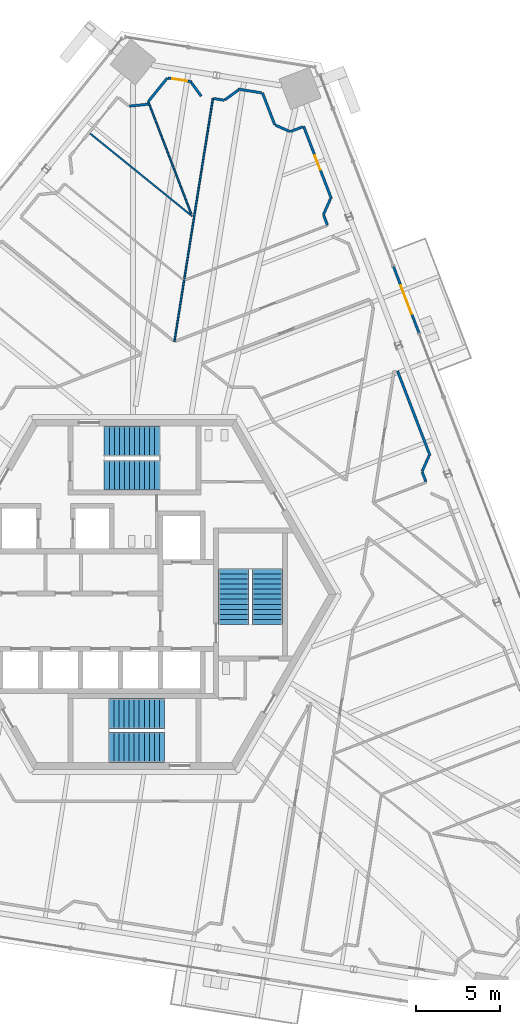
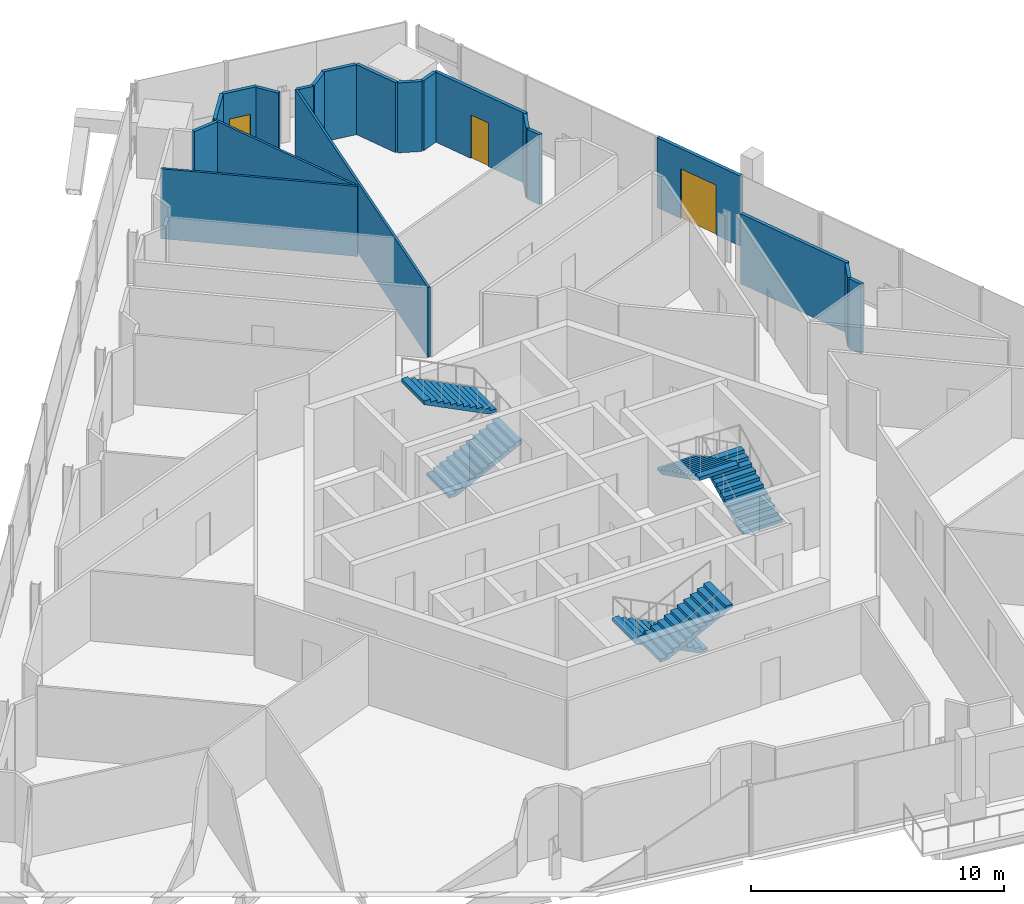
# One storey, part 18 of 23: 20 walls, 6 stair flights, 3 doors, 3 openings, 3 elements without a shape of their own.
"""IFC4 building model written with IfcOpenShell, lengths in metres."""

import ifcopenshell
import ifcopenshell.guid

model = None  # the IFC model being written
_history = None  # IfcOwnerHistory: only IFC2X3 demands one
_inside = {}  # id of a spatial element -> (the spatial element, [elements in it])
_under = {}  # id of a project, library or spatial element -> (it, [spatial elements below it])
_declared = {}  # id of a project -> (the project, [libraries it declares])
_typed = {}  # id of a type object -> (the type object, [elements of that type])
_made_of = {}  # id of a material, layer set ... -> (it, [elements and type objects made of it])


def new_model(schema):
    """Start an empty IFC model of exactly this schema.

    Asked for "IFC4X3", IfcOpenShell would pick the latest addendum, in which some entities
    have other attributes; the version numbers below select the first issue.
    IFC2X3 requires an IfcOwnerHistory on every rooted entity: one is made here for all.
    """
    global model, _history
    if schema == "IFC4X3":
        model = ifcopenshell.file(schema_version=(4, 3, 0, 0))
    else:
        model = ifcopenshell.file(schema=schema)
    _inside.clear()
    _under.clear()
    _declared.clear()
    _typed.clear()
    _made_of.clear()
    _history = None
    if model.schema == "IFC2X3":
        org = make("IfcOrganization", Name="unknown")
        user = make(
            "IfcPersonAndOrganization",
            ThePerson=make("IfcPerson", FamilyName="unknown"),
            TheOrganization=org,
        )
        app = make(
            "IfcApplication",
            ApplicationDeveloper=org,
            Version="unknown",
            ApplicationFullName="unknown",
            ApplicationIdentifier="unknown",
        )
        _history = make(
            "IfcOwnerHistory",
            OwningUser=user,
            OwningApplication=app,
            ChangeAction="ADDED",
            CreationDate=0,
        )
    return model


def make(cls, **values):
    """One entity of the class cls with the attributes given. An attribute that is None is left unset."""
    return model.create_entity(
        cls, **{name: value for name, value in values.items() if value is not None}
    )


def rooted(cls, **values):
    """An entity with a GlobalId (a new one), such as an element, a storey or a relation."""
    return make(cls, GlobalId=ifcopenshell.guid.new(), OwnerHistory=_history, **values)


def si_unit(unit_type, name, prefix=None):
    """IfcSIUnit, for example si_unit("LENGTHUNIT", "METRE", prefix="MILLI")."""
    return make("IfcSIUnit", UnitType=unit_type, Prefix=prefix, Name=name)


def assignment(units):
    """IfcUnitAssignment: the units of a project."""
    return None if units is None else make("IfcUnitAssignment", Units=units)


def point(xyz):
    """IfcCartesianPoint."""
    return None if xyz is None else make("IfcCartesianPoint", Coordinates=xyz)


def direction(xyz):
    """IfcDirection."""
    return None if xyz is None else make("IfcDirection", DirectionRatios=xyz)


def frame(location, z_axis=None, x_axis=None):
    """IfcAxis2Placement3D, a coordinate frame: its origin and axes. An axis left out is left unset."""
    return make(
        "IfcAxis2Placement3D",
        Location=point(location),
        Axis=direction(z_axis),
        RefDirection=direction(x_axis),
    )


def frame_2d(location, x_axis=None):
    """IfcAxis2Placement2D, a coordinate frame in the plane: its origin and x axis."""
    return make(
        "IfcAxis2Placement2D", Location=point(location), RefDirection=direction(x_axis)
    )


def origin():
    """The frame at (0, 0, 0) with its axes left unset."""
    return frame((0.0, 0.0, 0.0))


def place(relative_to, where):
    """IfcLocalPlacement: puts the frame where relative to a parent placement (None: the world)."""
    return make(
        "IfcLocalPlacement", PlacementRelTo=relative_to, RelativePlacement=where
    )


def context(
    kind, dimensions, precision=None, world=None, true_north=None, identifier=None
):
    """IfcGeometricRepresentationContext, for example the 3D "Model" context."""
    return make(
        "IfcGeometricRepresentationContext",
        ContextIdentifier=identifier,
        ContextType=kind,
        CoordinateSpaceDimension=dimensions,
        Precision=precision,
        WorldCoordinateSystem=world,
        TrueNorth=true_north,
    )


def subcontext(parent, identifier, kind, view, scale=None):
    """IfcGeometricRepresentationSubContext, for example "Body" below "Model"."""
    return make(
        "IfcGeometricRepresentationSubContext",
        ContextIdentifier=identifier,
        ContextType=kind,
        ParentContext=parent,
        TargetScale=scale,
        TargetView=view,
    )


def project(units=None, contexts=None):
    """IfcProject with its units and contexts."""
    return rooted(
        "IfcProject",
        Name="project",
        RepresentationContexts=contexts,
        UnitsInContext=assignment(units),
    )


def spatial(cls, under=None, at=None, **own):
    """A site, building, storey or space (cls), placed at a placement, below another one or the project."""
    s = rooted(cls, ObjectPlacement=at, **own)
    if under is not None:
        _under.setdefault(under.id(), (under, []))[1].append(s)
    return s


def polyline(points):
    """IfcPolyline through the points."""
    return make("IfcPolyline", Points=[point(p) for p in points])


def profile(cls, at=None, kind="AREA", **sizes):
    """A parametric profile (cls). Its sizes go by their IFC names, for example OverallWidth=200.0."""
    return make(cls, ProfileType=kind, Position=at, **sizes)


def rectangle(**sizes):
    """IfcRectangleProfileDef."""
    return profile("IfcRectangleProfileDef", **sizes)


def outline(outer, holes=None, kind="AREA"):
    """IfcArbitraryClosedProfileDef: a profile drawn as a closed curve; with holes, ...WithVoids."""
    if holes is None:
        return make("IfcArbitraryClosedProfileDef", ProfileType=kind, OuterCurve=outer)
    return make(
        "IfcArbitraryProfileDefWithVoids",
        ProfileType=kind,
        OuterCurve=outer,
        InnerCurves=holes,
    )


def extrude(swept, where, along, depth):
    """IfcExtrudedAreaSolid: the profile swept, set in the frame where, extruded along a direction by depth."""
    return make(
        "IfcExtrudedAreaSolid",
        SweptArea=swept,
        Position=where,
        ExtrudedDirection=direction(along),
        Depth=depth,
    )


def shape(context_of_items, identifier, shape_type, items):
    """IfcShapeRepresentation: the items that make up one representation, for example the "Body"."""
    return make(
        "IfcShapeRepresentation",
        ContextOfItems=context_of_items,
        RepresentationIdentifier=identifier,
        RepresentationType=shape_type,
        Items=items,
    )


def source(mapping_origin, context_of_items, identifier, shape_type, items):
    """IfcRepresentationMap: a shape defined once, which mapped items show again and again."""
    return make(
        "IfcRepresentationMap",
        MappingOrigin=mapping_origin,
        MappedRepresentation=shape(context_of_items, identifier, shape_type, items),
    )


def transform(
    local_origin,
    x_axis=None,
    y_axis=None,
    z_axis=None,
    scale=None,
    scale2=None,
    scale3=None,
    uniform=True,
):
    """IfcCartesianTransformationOperator3D, or its non-uniform kind. x_axis, y_axis, z_axis: its Axis1, 2, 3."""
    if uniform:
        return make(
            "IfcCartesianTransformationOperator3D",
            Axis1=direction(x_axis),
            Axis2=direction(y_axis),
            LocalOrigin=point(local_origin),
            Scale=scale,
            Axis3=direction(z_axis),
        )
    return make(
        "IfcCartesianTransformationOperator3DnonUniform",
        Axis1=direction(x_axis),
        Axis2=direction(y_axis),
        LocalOrigin=point(local_origin),
        Scale=scale,
        Axis3=direction(z_axis),
        Scale2=scale2,
        Scale3=scale3,
    )


def mapped(mapping_source, mapping_target):
    """IfcMappedItem: shows the shape of a source again, moved by a transform."""
    return make(
        "IfcMappedItem", MappingSource=mapping_source, MappingTarget=mapping_target
    )


def material(Name=None, Category=None):
    """IfcMaterial."""
    return make("IfcMaterial", Name=Name, Category=Category)


def layer(
    of_material, thickness, ventilated=None, Name=None, Category=None, Priority=None
):
    """IfcMaterialLayer: one layer of a wall or slab, of a material (None: an air gap)."""
    return make(
        "IfcMaterialLayer",
        Material=of_material,
        LayerThickness=thickness,
        IsVentilated=ventilated,
        Name=Name,
        Category=Category,
        Priority=Priority,
    )


def layer_set(layers, Name=None):
    """IfcMaterialLayerSet."""
    return make("IfcMaterialLayerSet", MaterialLayers=layers, LayerSetName=Name)


def made_of(thing, what):
    """Note that an element or type object is made of a material, layer set ...; save() writes the relation."""
    if what is not None:
        _made_of.setdefault(what.id(), (what, []))[1].append(thing)
    return thing


def type_object(cls, material=None, **own):
    """A type object (cls), such as IfcWallType, which elements share."""
    return made_of(rooted(cls, **own), material)


def element(
    cls,
    number,
    at=None,
    inside=None,
    cuts=None,
    type_object=None,
    material=None,
    context=None,
    identifier="Body",
    shape_type=None,
    held_by="IfcProductDefinitionShape",
    body=None,
    shapes=None,
    **own,
):
    """One element of the class cls, such as IfcWall. Its Tag is "e" and its number.

    at: its placement. inside: the storey or other place that contains it. cuts: it is an
    opening in that element (IfcRelVoidsElement). A single representation is given by context,
    identifier, shape_type and body (its items); several are given by shapes. held_by: the class
    of the entity that holds the representations. save() writes the other relations.
    """
    e = rooted(cls, Tag="e%d" % number, ObjectPlacement=at, **own)
    if body is not None:
        shapes = [shape(context, identifier, shape_type, body)]
    if shapes is not None:
        e.Representation = make(held_by, Representations=shapes)
    if inside is not None:
        _inside.setdefault(inside.id(), (inside, []))[1].append(e)
    if cuts is not None:
        rooted(
            "IfcRelVoidsElement", RelatingBuildingElement=cuts, RelatedOpeningElement=e
        )
    if type_object is not None:
        _typed.setdefault(type_object.id(), (type_object, []))[1].append(e)
    return made_of(e, material)


def fill(opening, filler):
    """IfcRelFillsElement: the door or window that sits in an opening."""
    return rooted(
        "IfcRelFillsElement",
        RelatingOpeningElement=opening,
        RelatedBuildingElement=filler,
    )


def aggregate(whole, parts):
    """IfcRelAggregates: a whole, such as a stair, and the parts it consists of."""
    return rooted("IfcRelAggregates", RelatingObject=whole, RelatedObjects=parts)


def save(model, path):
    """Write the relations noted so far, then the file.

    IfcRelAggregates (storeys below a building ...), IfcRelContainedInSpatialStructure (elements
    in a storey), IfcRelDefinesByType, IfcRelAssociatesMaterial and IfcRelDeclares: one each for
    every whole, place, type object, material and project.
    """
    for whole, parts in _under.values():
        aggregate(whole, parts)
    for where, things in _inside.values():
        rooted(
            "IfcRelContainedInSpatialStructure",
            RelatedElements=things,
            RelatingStructure=where,
        )
    for kind, things in _typed.values():
        rooted("IfcRelDefinesByType", RelatedObjects=things, RelatingType=kind)
    for what, things in _made_of.values():
        rooted("IfcRelAssociatesMaterial", RelatedObjects=things, RelatingMaterial=what)
    for by, libraries in _declared.values():
        rooted("IfcRelDeclares", RelatingContext=by, RelatedDefinitions=libraries)
    model.write(path)


model = new_model("IFC4")

# Units and contexts
model_context = context("Model", 3, precision=1e-05, world=origin(), true_north=direction((0.0, 1.0)))
body_context = subcontext(model_context, "Body", "Model", "MODEL_VIEW")
ifc_project = project(units=[si_unit("LENGTHUNIT", "METRE"), si_unit("AREAUNIT", "SQUARE_METRE"), si_unit("VOLUMEUNIT", "CUBIC_METRE"), si_unit("PLANEANGLEUNIT", "RADIAN"), si_unit("MASSUNIT", "GRAM", prefix="KILO")], contexts=[model_context])

# Site, building, storey
site_placement = place(None, origin())
site = spatial("IfcSite", under=ifc_project, at=site_placement, CompositionType="ELEMENT")
building_placement = place(site_placement, origin())
building = spatial("IfcBuilding", under=site, at=building_placement, Name="Triune Harvest Tower", CompositionType="ELEMENT")
storey_placement = place(building_placement, frame((0.0, 0.0, 171.300048828125)))
storey = spatial("IfcBuildingStorey", under=building, at=storey_placement, Name="L44", CompositionType="ELEMENT", Elevation=171.300048828125)

# Walls
ifc_material_1 = material(Name="Gypsum board on steel studs", Category="steel")
ifc_layer_1 = layer(ifc_material_1, 0.14990234375)
ifc_layer_set_1 = layer_set([ifc_layer_1], Name="Gypsum board on steel studs")
wall_type_1 = type_object("IfcWallType", Name="Fire Partition 150 mm", PredefinedType="PARTITIONING", material=ifc_layer_set_1)
wall_1_placement = place(storey_placement, frame((7.613525390625, 29.784423828125, 0.0), z_axis=(0.0, 0.0, 1.0), x_axis=(0.358478574369, -0.933537954086, 0.0)))
element("IfcWall", 1, at=wall_1_placement, inside=storey, type_object=wall_type_1, Name="Partition L44 012", PredefinedType="PARTITIONING", context=body_context, shape_type="SweptSolid", body=[
    extrude(rectangle(XDim=2.02685546875, YDim=0.14990234375, at=frame_2d((1.013427734375, 0.0))), origin(), (0.0, 0.0, 1.0), 3.375),
])
wall_2_placement = place(storey_placement, frame((11.2431640625, 22.530517578125, 0.0), z_axis=(0.0, 0.0, 1.0), x_axis=(0.358251499246, -0.933625119247, 0.0)))
element("IfcWall", 2, at=wall_2_placement, inside=storey, type_object=wall_type_1, Name="Partition L44 014", PredefinedType="PARTITIONING", context=body_context, shape_type="SweptSolid", body=[
    extrude(rectangle(XDim=0.629638671875, YDim=0.14990234375, at=frame_2d((0.31494140625, 0.0))), origin(), (0.0, 0.0, 1.0), 3.375),
])
wall_3_placement = place(storey_placement, frame((17.1015625, 7.267822265625, 0.0), z_axis=(0.0, 0.0, 1.0), x_axis=(0.35824355396, -0.93362816798, 0.0)))
element("IfcWall", 3, at=wall_3_placement, inside=storey, type_object=wall_type_1, Name="Partition L44 015", PredefinedType="PARTITIONING", context=body_context, shape_type="SweptSolid", body=[
    extrude(rectangle(XDim=0.622802734375, YDim=0.14990234375, at=frame_2d((0.3115234375, 0.0))), origin(), (0.0, 0.0, 1.0), 3.375),
])
wall_4_placement = place(storey_placement, frame((4.69775390625, 29.456298828125, 0.0), z_axis=(0.0, 0.0, 1.0), x_axis=(0.987708590409, -0.156306559145, 0.0)))
element("IfcWall", 4, at=wall_4_placement, inside=storey, type_object=wall_type_1, Name="Partition L44 071", PredefinedType="PARTITIONING", context=body_context, shape_type="SweptSolid", body=[
    extrude(rectangle(XDim=0.656005859375, YDim=0.14990234375, at=frame_2d((0.328125, 0.0))), origin(), (0.0, 0.0, 1.0), 3.375),
])

# Wall, opening, door
wall_5_placement = place(storey_placement, frame((2.002197265625, 30.67333984375, 0.0), z_axis=(0.0, 0.0, 1.0), x_axis=(0.987678319337, -0.156497723666, 0.0)))
wall_5 = element("IfcWall", 5, at=wall_5_placement, inside=storey, type_object=wall_type_1, Name="Partition L44 072", PredefinedType="PARTITIONING", context=body_context, shape_type="SweptSolid", body=[
    extrude(rectangle(XDim=1.428955078125, YDim=0.14990234375, at=frame_2d((0.71435546875, 0.0))), origin(), (0.0, 0.0, 1.0), 3.375),
])
opening_1_placement = place(wall_5_placement, frame((0.260009765625, 0.0, 0.0)))
opening_1 = element("IfcOpeningElement", 6, at=opening_1_placement, cuts=wall_5, Name="Opening L44-012", PredefinedType="OPENING", context=body_context, shape_type="SweptSolid", body=[
    extrude(rectangle(XDim=0.89990234375, YDim=2.10009765625, at=frame_2d((0.449951171875, 1.050048828125))), frame((0.0, 0.0849609375, 0.0), z_axis=(0.0, -1.0, 0.0), x_axis=(1.0, 0.0, 0.0)), (0.0, 0.0, 1.0), 0.169921875),
])
ifc_material_2 = material(Name="Timber and steel door set", Category="steel")
door_type_1 = type_object("IfcDoorType", Name="Single leaf door FD30 left hand 900 x 2100", OperationType="SINGLE_SWING_LEFT", PredefinedType="DOOR", material=ifc_material_2)
door_1_placement = place(opening_1_placement, origin())
door_1 = element("IfcDoor", 7, at=door_1_placement, inside=storey, type_object=door_type_1, Name="Door L44-012 Reception 44.12", OperationType="SINGLE_SWING_LEFT", OverallHeight=2.10009765625, OverallWidth=0.89990234375, PredefinedType="DOOR", context=body_context, shape_type="SweptSolid", body=[
    extrude(rectangle(XDim=0.89990234375, YDim=2.10009765625, at=frame_2d((0.449951171875, 1.050048828125))), frame((0.0, 0.02490234375, 0.0), z_axis=(0.0, -1.0, 0.0), x_axis=(1.0, 0.0, 0.0)), (0.0, 0.0, 1.0), 0.050048828125),
])
fill(opening_1, door_1)

# Walls
wall_6_placement = place(storey_placement, frame((6.162841796875, 30.014404296875, 0.0), z_axis=(0.0, 0.0, 1.0), x_axis=(0.987669329581, -0.156554448688, 0.0)))
element("IfcWall", 8, at=wall_6_placement, inside=storey, type_object=wall_type_1, Name="Partition L44 073", PredefinedType="PARTITIONING", context=body_context, shape_type="SweptSolid", body=[
    extrude(rectangle(XDim=1.419189453125, YDim=0.14990234375, at=frame_2d((0.70947265625, 0.0))), origin(), (0.0, 0.0, 1.0), 3.375),
])
ifc_material_3 = material(Name="Gypsum board on steel studs", Category="steel")
ifc_layer_2 = layer(ifc_material_3, 0.10009765625)
ifc_layer_set_2 = layer_set([ifc_layer_2], Name="Gypsum board on steel studs")
wall_type_2 = type_object("IfcWallType", Name="Partition 100 mm", PredefinedType="PARTITIONING", material=ifc_layer_set_2)
wall_7_placement = place(storey_placement, frame((0.822998046875, 29.27197265625, 0.0), z_axis=(0.0, 0.0, 1.0), x_axis=(0.358372053014, -0.933578851313, 0.0)))
element("IfcWall", 9, at=wall_7_placement, inside=storey, type_object=wall_type_2, Name="Partition L44 010", PredefinedType="PARTITIONING", context=body_context, shape_type="SweptSolid", body=[
    extrude(rectangle(XDim=7.142822265625, YDim=0.10009765625, at=frame_2d((3.5712890625, 0.0))), origin(), (0.0, 0.0, 1.0), 3.375),
])
wall_8_placement = place(storey_placement, frame((-2.69091796875, 27.42529296875, 0.0), z_axis=(0.0, 0.0, 1.0), x_axis=(0.777133086875, -0.629336289502, 0.0)))
element("IfcWall", 10, at=wall_8_placement, inside=storey, type_object=wall_type_2, Name="Partition L44 048", PredefinedType="PARTITIONING", context=body_context, shape_type="SweptSolid", body=[
    extrude(rectangle(XDim=7.88427734375, YDim=0.10009765625, at=frame_2d((3.942138671875, 0.0))), origin(), (0.0, 0.0, 1.0), 3.375),
])
wall_9_placement = place(storey_placement, frame((2.377685546875, 15.01171875, 0.0), z_axis=(0.0, 0.0, 1.0), x_axis=(0.156434740158, 0.987688297021, 0.0)))
element("IfcWall", 11, at=wall_9_placement, inside=storey, type_object=wall_type_2, Name="Partition L44 141", PredefinedType="PARTITIONING", context=body_context, shape_type="SweptSolid", body=[
    extrude(rectangle(XDim=14.629638671875, YDim=0.10009765625, at=frame_2d((7.31494140625, 0.0))), origin(), (0.0, 0.0, 1.0), 3.375),
])

# Wall, opening, door
ifc_material_4 = material(Name="Aluminium bronze anodised", Category="aluminium")
ifc_layer_3 = layer(ifc_material_4, 0.14990234375)
ifc_layer_set_3 = layer_set([ifc_layer_3], Name="Aluminium bronze anodised")
wall_type_3 = type_object("IfcWallType", Name="WW-2 balcony window wall", PredefinedType="ELEMENTEDWALL", material=ifc_layer_set_3)
wall_10_placement = place(storey_placement, frame((15.394287109375, 19.4736328125, 0.0), z_axis=(0.0, 0.0, 1.0), x_axis=(0.358370500864, -0.933579447134, 0.0)))
wall_10 = element("IfcWall", 12, at=wall_10_placement, inside=storey, type_object=wall_type_3, Name="WW-2 B4-F1 L44.9", PredefinedType="ELEMENTEDWALL", context=body_context, shape_type="SweptSolid", body=[
    extrude(rectangle(XDim=4.220947265625, YDim=0.14990234375, at=frame_2d((2.1103515625, 0.0))), origin(), (0.0, 0.0, 1.0), 3.375),
])
opening_2_placement = place(wall_10_placement, frame((1.21044921875, 0.0, 0.0)))
opening_2 = element("IfcOpeningElement", 13, at=opening_2_placement, cuts=wall_10, Name="Opening L44-E01", PredefinedType="OPENING", context=body_context, shape_type="SweptSolid", body=[
    extrude(rectangle(XDim=1.800048828125, YDim=2.39990234375, at=frame_2d((0.89990234375, 1.199951171875))), frame((0.0, 0.0849609375, 0.0), z_axis=(0.0, -1.0, 0.0), x_axis=(1.0, 0.0, 0.0)), (0.0, 0.0, 1.0), 0.169921875),
])
ifc_material_5 = material(Name="Glass", Category="glass")
door_type_2 = type_object("IfcDoorType", Name="DB-1 balcony door 1800 x 2400", OperationType="DOUBLE_DOOR_SINGLE_SWING", PredefinedType="DOOR", material=ifc_material_5)
door_2_placement = place(opening_2_placement, origin())
door_2 = element("IfcDoor", 14, at=door_2_placement, inside=storey, type_object=door_type_2, Name="Door L44-E01", OperationType="DOUBLE_DOOR_SINGLE_SWING", OverallHeight=2.39990234375, OverallWidth=1.800048828125, PredefinedType="DOOR", context=body_context, shape_type="SweptSolid", body=[
    extrude(rectangle(XDim=1.800048828125, YDim=2.39990234375, at=frame_2d((0.89990234375, 1.199951171875))), frame((0.0, 0.02490234375, 0.0), z_axis=(0.0, -1.0, 0.0), x_axis=(1.0, 0.0, 0.0)), (0.0, 0.0, 1.0), 0.050048828125),
])
fill(opening_2, door_2)

# Walls
shared_shape_1 = source(origin(), body_context, "Body", "SweptSolid", [
    extrude(rectangle(XDim=1.141845703125, YDim=0.14990234375, at=frame_2d((0.57080078125, 0.0))), origin(), (0.0, 0.0, 1.0), 3.375),
])
wall_11_placement = place(storey_placement, frame((-0.305419921875, 29.0, 0.0), z_axis=(0.0, 0.0, 1.0), x_axis=(0.994518333703, 0.104562344696, 0.0)))
element("IfcWall", 15, at=wall_11_placement, inside=storey, type_object=wall_type_1, Name="Partition L44 082", PredefinedType="PARTITIONING", context=body_context, shape_type="MappedRepresentation", body=[
    mapped(shared_shape_1, transform((0.0, 0.0, 0.0), scale=1.0)),
])
shared_shape_2 = source(origin(), body_context, "Body", "SweptSolid", [
    extrude(rectangle(XDim=0.9833984375, YDim=0.14990234375, at=frame_2d((0.49169921875, 0.0))), origin(), (0.0, 0.0, 1.0), 3.375),
])
for number, where, z_axis, x_axis, name in (
    (16, (3.39306640625, 30.388671875, 0.0), (0.0, 0.0, 1.0), (0.587817405052, -0.808993633051, 0.0), "Partition L44 033"),
    (17, (5.367919921875, 29.37158203125, 0.0), (0.0, 0.0, 1.0), (0.808993633051, 0.587817405052, 0.0), "Partition L44 105"),
):
    element("IfcWall", number, at=place(storey_placement, frame(where, z_axis=z_axis, x_axis=x_axis)), inside=storey, type_object=wall_type_1, Name=name, PredefinedType="PARTITIONING", context=body_context, shape_type="MappedRepresentation", body=[
        mapped(shared_shape_2, transform((0.0, 0.0, 0.0), scale=1.0)),
    ])

# Wall, opening, door
shared_shape_3 = source(origin(), body_context, "Body", "SweptSolid", [
    extrude(rectangle(XDim=4.603271484375, YDim=0.14990234375, at=frame_2d((2.3017578125, 0.0))), origin(), (0.0, 0.0, 1.0), 3.375),
])
wall_12_placement = place(storey_placement, frame((10.0576171875, 27.7958984375, 0.0), z_axis=(0.0, 0.0, 1.0), x_axis=(0.358360617965, -0.933583240794, 0.0)))
wall_12 = element("IfcWall", 18, at=wall_12_placement, inside=storey, type_object=wall_type_1, Name="Partition L44 017", PredefinedType="PARTITIONING", context=body_context, shape_type="MappedRepresentation", body=[
    mapped(shared_shape_3, transform((0.0, 0.0, 0.0), scale=1.0)),
])
opening_3_placement = place(wall_12_placement, frame((1.850341796875, 0.0, 0.0)))
opening_3 = element("IfcOpeningElement", 19, at=opening_3_placement, cuts=wall_12, Name="Opening L44-011", PredefinedType="OPENING", context=body_context, shape_type="SweptSolid", body=[
    extrude(rectangle(XDim=0.89990234375, YDim=2.10009765625, at=frame_2d((0.449951171875, 1.050048828125))), frame((0.0, 0.0849609375, 0.0), z_axis=(0.0, -1.0, 0.0), x_axis=(1.0, 0.0, 0.0)), (0.0, 0.0, 1.0), 0.169921875),
])
ifc_material_6 = material(Name="Timber and steel door set", Category="steel")
door_type_3 = type_object("IfcDoorType", Name="Single leaf door FD30 right hand 900 x 2100", OperationType="SINGLE_SWING_RIGHT", PredefinedType="DOOR", material=ifc_material_6)
door_3_placement = place(opening_3_placement, origin())
door_3 = element("IfcDoor", 20, at=door_3_placement, inside=storey, type_object=door_type_3, Name="Door L44-011 Project Room 44.11", OperationType="SINGLE_SWING_RIGHT", OverallHeight=2.10009765625, OverallWidth=0.89990234375, PredefinedType="DOOR", context=body_context, shape_type="SweptSolid", body=[
    extrude(rectangle(XDim=0.89990234375, YDim=2.10009765625, at=frame_2d((0.449951171875, 1.050048828125))), frame((0.0, 0.02490234375, 0.0), z_axis=(0.0, -1.0, 0.0), x_axis=(1.0, 0.0, 0.0)), (0.0, 0.0, 1.0), 0.050048828125),
])
fill(opening_3, door_3)

# Walls
shared_shape_4 = source(origin(), body_context, "Body", "SweptSolid", [
    extrude(rectangle(XDim=5.3916015625, YDim=0.14990234375, at=frame_2d((2.69580078125, 0.0))), origin(), (0.0, 0.0, 1.0), 3.375),
])
wall_13_placement = place(storey_placement, frame((15.634521484375, 13.267333984375, 0.0), z_axis=(0.0, 0.0, 1.0), x_axis=(0.358402489573, -0.93356716709, 0.0)))
element("IfcWall", 21, at=wall_13_placement, inside=storey, type_object=wall_type_1, Name="Partition L44 020", PredefinedType="PARTITIONING", context=body_context, shape_type="MappedRepresentation", body=[
    mapped(shared_shape_4, transform((0.0, 0.0, 0.0), scale=1.0)),
])
shared_shape_5 = source(origin(), body_context, "Body", "SweptSolid", [
    extrude(rectangle(XDim=0.782958984375, YDim=0.14990234375, at=frame_2d((0.3916015625, 0.0))), origin(), (0.0, 0.0, 1.0), 3.375),
])
wall_14_placement = place(storey_placement, frame((9.280029296875, 27.4970703125, 0.0), z_axis=(0.0, 0.0, 1.0), x_axis=(0.933610565316, 0.358289425367, 0.0)))
element("IfcWall", 22, at=wall_14_placement, inside=storey, type_object=wall_type_1, Name="Partition L44 098", PredefinedType="PARTITIONING", context=body_context, shape_type="MappedRepresentation", body=[
    mapped(shared_shape_5, transform((0.0, 0.0, 0.0), scale=1.0)),
])
shared_shape_6 = source(origin(), body_context, "Body", "SweptSolid", [
    extrude(rectangle(XDim=0.96826171875, YDim=0.14990234375, at=frame_2d((0.484130859375, 0.0))), origin(), (0.0, 0.0, 1.0), 3.375),
])
wall_15_placement = place(storey_placement, frame((8.367431640625, 27.880126953125, 0.0), z_axis=(0.0, 0.0, 1.0), x_axis=(0.913551409581, -0.406723274539, 0.0)))
element("IfcWall", 23, at=wall_15_placement, inside=storey, type_object=wall_type_1, Name="Partition L44 054", PredefinedType="PARTITIONING", context=body_context, shape_type="MappedRepresentation", body=[
    mapped(shared_shape_6, transform((0.0, 0.0, 0.0), scale=1.0)),
])
shared_shape_7 = source(origin(), body_context, "Body", "SweptSolid", [
    extrude(rectangle(XDim=1.781494140625, YDim=0.14990234375, at=frame_2d((0.890625, 0.0))), origin(), (0.0, 0.0, 1.0), 3.375),
])
wall_16_placement = place(storey_placement, frame((0.841552734375, 29.294921875, 0.0), z_axis=(0.0, 0.0, 1.0), x_axis=(0.629296781199, 0.777165079743, 0.0)))
element("IfcWall", 24, at=wall_16_placement, inside=storey, type_object=wall_type_1, Name="Partition L44 111", PredefinedType="PARTITIONING", context=body_context, shape_type="MappedRepresentation", body=[
    mapped(shared_shape_7, transform((0.0, 0.0, 0.0), scale=1.0)),
])
shared_shape_8 = source(origin(), body_context, "Body", "SweptSolid", [
    extrude(rectangle(XDim=1.013916015625, YDim=0.14990234375, at=frame_2d((0.5068359375, 0.0))), origin(), (0.0, 0.0, 1.0), 3.375),
])
for number, where, z_axis, x_axis, name in (
    (25, (17.091064453125, 7.295166015625, 0.0), (0.0, 0.0, 1.0), (0.406696927289, 0.913563139216, 0.0), "Partition L44 129"),
    (26, (11.231689453125, 22.559326171875, 0.0), (0.0, 0.0, 1.0), (0.406696927289, 0.913563139216, 0.0), "Partition L44 130"),
):
    element("IfcWall", number, at=place(storey_placement, frame(where, z_axis=z_axis, x_axis=x_axis)), inside=storey, type_object=wall_type_1, Name=name, PredefinedType="PARTITIONING", context=body_context, shape_type="MappedRepresentation", body=[
        mapped(shared_shape_8, transform((0.0, 0.0, 0.0), scale=1.0)),
    ])

# Stair, stair flights
ifc_material_7 = material(Name="Concrete 40 MPa", Category="concrete")
stair_type = type_object("IfcStairType", Name="Exit stair 1800 half turn", PredefinedType="HALF_TURN_STAIR", material=ifc_material_7)
stair_1_placement = place(storey_placement, origin())
stair_1 = element("IfcStair", 27, at=stair_1_placement, inside=storey, type_object=stair_type, Name="Exit stair north", PredefinedType="HALF_TURN_STAIR")
ifc_material_8 = material(Name="Concrete 40 MPa", Category="concrete")
stair_flight_type = type_object("IfcStairFlightType", Name="Stair flight 1800", PredefinedType="STRAIGHT", material=ifc_material_8)
shared_shape_9 = source(origin(), body_context, "Body", "SweptSolid", [
    extrude(outline(polyline([(0.0, 0.0), (0.0, 0.151123046875), (0.300048828125, 0.151123046875), (0.300048828125, 0.302001953125), (0.60009765625, 0.302001953125), (0.60009765625, 0.453125), (0.89990234375, 0.453125), (0.89990234375, 0.604248046875), (1.199951171875, 0.604248046875), (1.199951171875, 0.755126953125), (1.5, 0.755126953125), (1.5, 0.90625), (1.800048828125, 0.90625), (1.800048828125, 1.057373046875), (2.10009765625, 1.057373046875), (2.10009765625, 1.208251953125), (2.39990234375, 1.208251953125), (2.39990234375, 1.359375), (2.699951171875, 1.359375), (2.699951171875, 1.510498046875), (3.0, 1.510498046875), (3.0, 1.661376953125), (3.300048828125, 1.661376953125), (3.300048828125, 1.8125), (3.300048828125, 1.49365234375), (0.333251953125, 0.0), (0.0, 0.0)])), frame((0.0, 0.89990234375, 0.0), z_axis=(0.0, -1.0, 0.0), x_axis=(1.0, 0.0, 0.0)), (0.0, 0.0, 1.0), 1.800048828125),
])
stair_flight_1_placement = place(storey_placement, frame((-1.7900390625, 7.090087890625, 0.0), z_axis=(0.0, 0.0, 1.0), x_axis=(1.0, 0.0, 0.0)))
stair_flight_1 = element("IfcStairFlight", 28, at=stair_flight_1_placement, type_object=stair_flight_type, Name="ST-1 flight 1", NumberOfRisers=12, NumberOfTreads=11, PredefinedType="STRAIGHT", RiserHeight=0.15104, TreadLength=0.3, context=body_context, shape_type="MappedRepresentation", body=[
    mapped(shared_shape_9, transform((0.0, 0.0, 0.0), scale=1.0)),
])
stair_flight_2_placement = place(storey_placement, frame((1.510009765625, 9.090087890625, 1.8125), z_axis=(0.0, 0.0, 1.0), x_axis=(-1.0, 0.0, 0.0)))
stair_flight_2 = element("IfcStairFlight", 29, at=stair_flight_2_placement, type_object=stair_flight_type, Name="ST-1 flight 2", NumberOfRisers=12, NumberOfTreads=11, PredefinedType="STRAIGHT", RiserHeight=0.15104, TreadLength=0.3, context=body_context, shape_type="MappedRepresentation", body=[
    mapped(shared_shape_9, transform((0.0, 0.0, 0.0), scale=1.0)),
])
aggregate(stair_1, [stair_flight_1, stair_flight_2])

stair_2_placement = place(storey_placement, origin())
stair_2 = element("IfcStair", 30, at=stair_2_placement, inside=storey, type_object=stair_type, Name="Exit stair south", PredefinedType="HALF_TURN_STAIR")
stair_flight_3_placement = place(storey_placement, frame((1.7900390625, -7.090087890625, 0.0), z_axis=(0.0, 0.0, 1.0), x_axis=(-1.0, 0.0, 0.0)))
stair_flight_3 = element("IfcStairFlight", 31, at=stair_flight_3_placement, type_object=stair_flight_type, Name="ST-2 flight 1", NumberOfRisers=12, NumberOfTreads=11, PredefinedType="STRAIGHT", RiserHeight=0.15104, TreadLength=0.3, context=body_context, shape_type="MappedRepresentation", body=[
    mapped(shared_shape_9, transform((0.0, 0.0, 0.0), scale=1.0)),
])
stair_flight_4_placement = place(storey_placement, frame((-1.510009765625, -9.090087890625, 1.8125), z_axis=(0.0, 0.0, 1.0), x_axis=(1.0, 0.0, 0.0)))
stair_flight_4 = element("IfcStairFlight", 32, at=stair_flight_4_placement, type_object=stair_flight_type, Name="ST-2 flight 2", NumberOfRisers=12, NumberOfTreads=11, PredefinedType="STRAIGHT", RiserHeight=0.15104, TreadLength=0.3, context=body_context, shape_type="MappedRepresentation", body=[
    mapped(shared_shape_9, transform((0.0, 0.0, 0.0), scale=1.0)),
])
aggregate(stair_2, [stair_flight_3, stair_flight_4])

stair_3_placement = place(storey_placement, origin())
stair_3 = element("IfcStair", 33, at=stair_3_placement, inside=storey, type_object=stair_type, Name="Exit stair east", PredefinedType="HALF_TURN_STAIR")
stair_flight_5_placement = place(storey_placement, frame((7.89990234375, -1.7900390625, 0.0), z_axis=(0.0, 0.0, 1.0), x_axis=(0.0, 1.0, 0.0)))
stair_flight_5 = element("IfcStairFlight", 34, at=stair_flight_5_placement, type_object=stair_flight_type, Name="ST-3 flight 1", NumberOfRisers=12, NumberOfTreads=11, PredefinedType="STRAIGHT", RiserHeight=0.15104, TreadLength=0.3, context=body_context, shape_type="MappedRepresentation", body=[
    mapped(shared_shape_9, transform((0.0, 0.0, 0.0), scale=1.0)),
])
stair_flight_6_placement = place(storey_placement, frame((5.89990234375, 1.510009765625, 1.8125), z_axis=(0.0, 0.0, 1.0), x_axis=(0.0, -1.0, 0.0)))
stair_flight_6 = element("IfcStairFlight", 35, at=stair_flight_6_placement, type_object=stair_flight_type, Name="ST-3 flight 2", NumberOfRisers=12, NumberOfTreads=11, PredefinedType="STRAIGHT", RiserHeight=0.15104, TreadLength=0.3, context=body_context, shape_type="MappedRepresentation", body=[
    mapped(shared_shape_9, transform((0.0, 0.0, 0.0), scale=1.0)),
])
aggregate(stair_3, [stair_flight_5, stair_flight_6])

save(model, "model.ifc")
